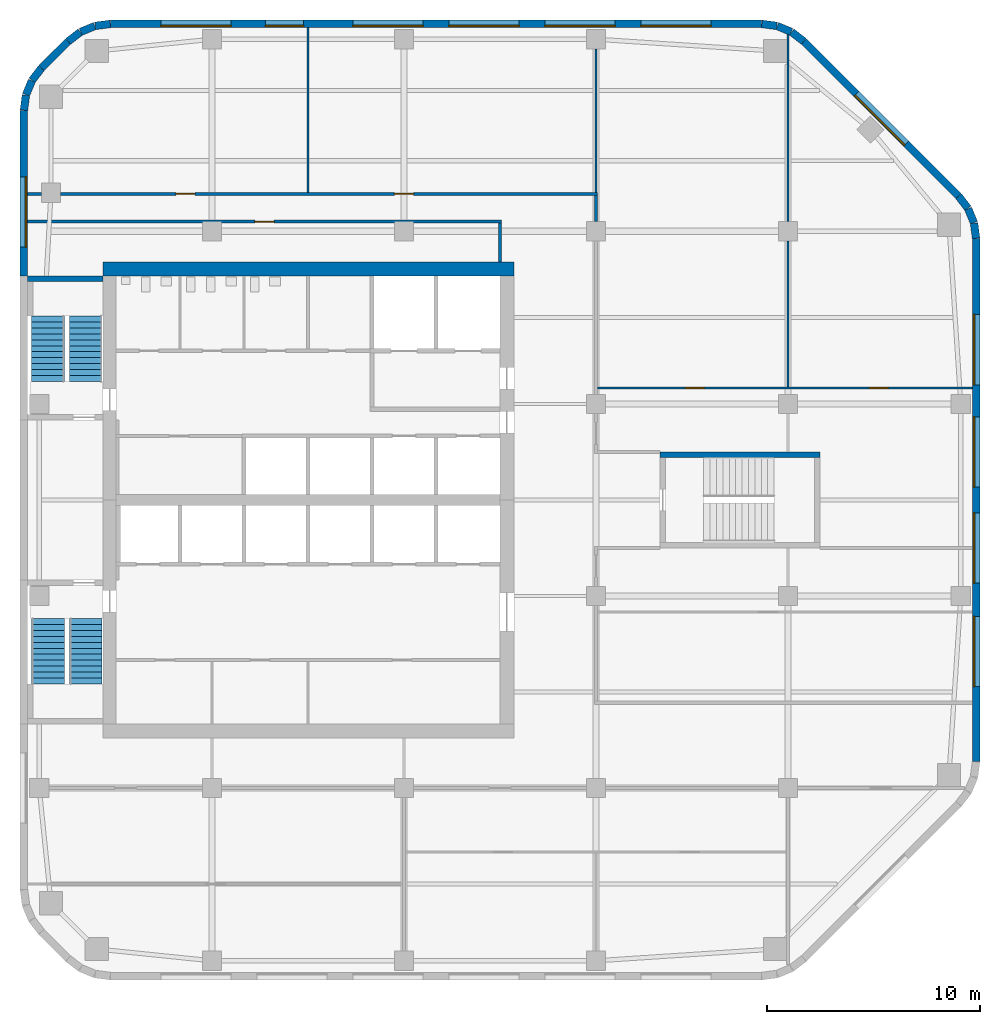
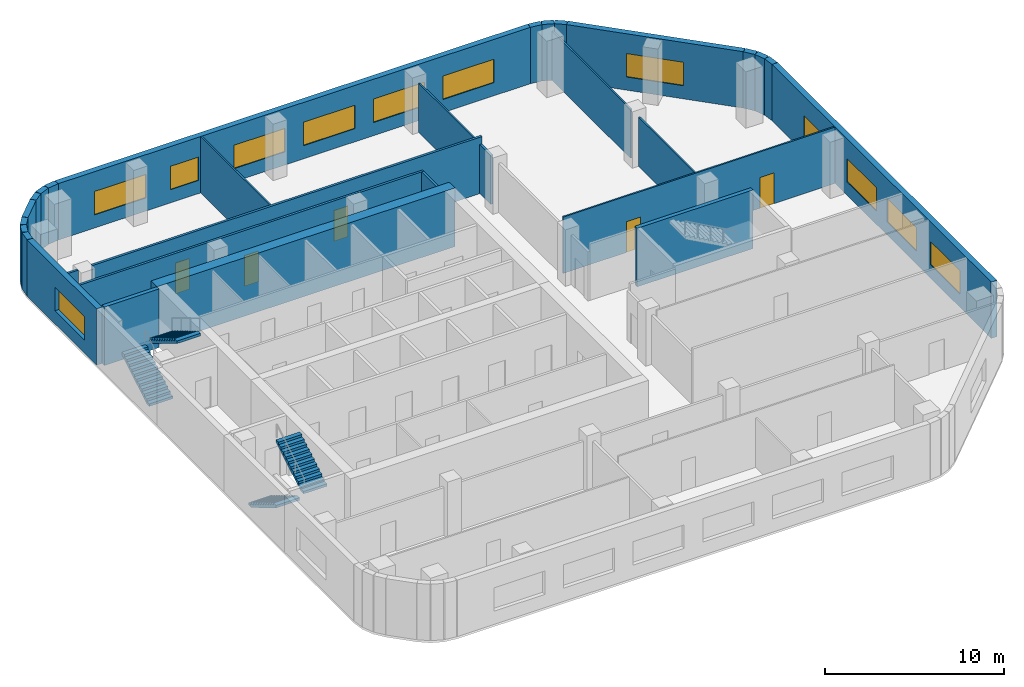
# One storey, part 5 of 8: 30 walls, 12 windows, 5 doors, 4 stair flights, 17 openings, 2 elements without a shape of their own.
"""IFC4 building model written with IfcOpenShell, lengths in metres."""

from ifc_helpers import new_model, si_unit, direction, frame, frame_2d, origin, place, context, subcontext, project, spatial, polyline, rectangle, outline, extrude, material, layer, layer_set, type_object, element, fill, aggregate, save


model = new_model("IFC4")

# Units and contexts
model_context = context("Model", 3, precision=1e-05, world=origin(), true_north=direction((0.0, 1.0)))
body_context = subcontext(model_context, "Body", "Model", "MODEL_VIEW")
ifc_project = project(units=[si_unit("LENGTHUNIT", "METRE"), si_unit("AREAUNIT", "SQUARE_METRE"), si_unit("VOLUMEUNIT", "CUBIC_METRE"), si_unit("PLANEANGLEUNIT", "RADIAN"), si_unit("MASSUNIT", "GRAM", prefix="KILO")], contexts=[model_context])

# Site, building, storey
site_placement = place(None, origin())
site = spatial("IfcSite", under=ifc_project, at=site_placement, CompositionType="ELEMENT")
building_placement = place(site_placement, origin())
building = spatial("IfcBuilding", under=site, at=building_placement, Name="Cinnabar Reach Civic Tower", CompositionType="ELEMENT")
storey_placement = place(building_placement, frame((0.0, 0.0, 185.0)))
storey = spatial("IfcBuildingStorey", under=building, at=storey_placement, Name="L44", CompositionType="ELEMENT", Elevation=185.0)

# Walls
ifc_material_1 = material(Name="Facing brick with insulated backing", Category="masonry")
ifc_layer_1 = layer(ifc_material_1, 0.36)
ifc_layer_set_1 = layer_set([ifc_layer_1], Name="Brick corner wall")
wall_type_1 = type_object("IfcWallType", Name="Brick corner wall", PredefinedType="STANDARD", material=ifc_layer_set_1)
for number, where, z_axis, x_axis, name in (
    (1, (44.817, 43.7686, 0.0), (0.0, 0.0, 1.0), (-0.13055608231, 0.99144092581, 0.0), "Brick corner wall"),
    (2, (44.7181, 44.4973, 0.0), (0.0, 0.0, 1.0), (-0.382702709855, 0.923871547278, 0.0), "Brick corner wall"),
):
    element("IfcWall", number, at=place(storey_placement, frame(where, z_axis=z_axis, x_axis=x_axis)), inside=storey, type_object=wall_type_1, Name=name, PredefinedType="STANDARD", context=body_context, shape_type="SweptSolid", body=[
        extrude(rectangle(XDim=0.7131, YDim=0.36, at=frame_2d((0.3565, 0.0))), origin(), (0.0, 0.0, 1.0), 3.85),
    ])
for number, where, z_axis, x_axis, name in (
    (3, (44.434, 45.1755, 0.0), (0.0, 0.0, 1.0), (-0.608802368033, 0.793321924995, 0.0), "Brick corner wall"),
    (4, (36.7413, 52.9998, 0.0), (0.0, 0.0, 1.0), (-0.793321924995, 0.608802368033, 0.0), "Brick corner wall"),
):
    element("IfcWall", number, at=place(storey_placement, frame(where, z_axis=z_axis, x_axis=x_axis)), inside=storey, type_object=wall_type_1, Name=name, PredefinedType="STANDARD", context=body_context, shape_type="SweptSolid", body=[
        extrude(rectangle(XDim=0.7132, YDim=0.36, at=frame_2d((0.3566, 0.0))), origin(), (0.0, 0.0, 1.0), 3.85),
    ])
for number, where, z_axis, x_axis, name in (
    (5, (36.1561, 53.4452, 0.0), (0.0, 0.0, 1.0), (-0.923871547278, 0.382702709855, 0.0), "Brick corner wall"),
    (6, (35.4756, 53.7239, 0.0), (0.0, 0.0, 1.0), (-0.99144092581, 0.13055608231, 0.0), "Brick corner wall"),
    (7, (4.2314, 53.817, 0.0), (0.0, 0.0, 1.0), (-0.99144092581, -0.13055608231, 0.0), "Brick corner wall"),
    (8, (3.5027, 53.7181, 0.0), (0.0, 0.0, 1.0), (-0.923871547278, -0.382702709855, 0.0), "Brick corner wall"),
):
    element("IfcWall", number, at=place(storey_placement, frame(where, z_axis=z_axis, x_axis=x_axis)), inside=storey, type_object=wall_type_1, Name=name, PredefinedType="STANDARD", context=body_context, shape_type="SweptSolid", body=[
        extrude(rectangle(XDim=0.7131, YDim=0.36, at=frame_2d((0.3565, 0.0))), origin(), (0.0, 0.0, 1.0), 3.85),
    ])
for number, where, z_axis, x_axis, name in (
    (9, (2.8245, 53.434, 0.0), (0.0, 0.0, 1.0), (-0.793321924995, -0.608802368033, 0.0), "Brick corner wall"),
    (10, (1.0002, 51.7413, 0.0), (0.0, 0.0, 1.0), (-0.608802368033, -0.793321924995, 0.0), "Brick corner wall"),
):
    element("IfcWall", number, at=place(storey_placement, frame(where, z_axis=z_axis, x_axis=x_axis)), inside=storey, type_object=wall_type_1, Name=name, PredefinedType="STANDARD", context=body_context, shape_type="SweptSolid", body=[
        extrude(rectangle(XDim=0.7132, YDim=0.36, at=frame_2d((0.3566, 0.0))), origin(), (0.0, 0.0, 1.0), 3.85),
    ])
for number, where, z_axis, x_axis, name in (
    (11, (0.5548, 51.1561, 0.0), (0.0, 0.0, 1.0), (-0.382702709855, -0.923871547278, 0.0), "Brick corner wall"),
    (12, (0.2761, 50.4756, 0.0), (0.0, 0.0, 1.0), (-0.13055608231, -0.99144092581, 0.0), "Brick corner wall"),
):
    element("IfcWall", number, at=place(storey_placement, frame(where, z_axis=z_axis, x_axis=x_axis)), inside=storey, type_object=wall_type_1, Name=name, PredefinedType="STANDARD", context=body_context, shape_type="SweptSolid", body=[
        extrude(rectangle(XDim=0.7131, YDim=0.36, at=frame_2d((0.3565, 0.0))), origin(), (0.0, 0.0, 1.0), 3.85),
    ])

# Wall, openings, windows
ifc_layer_2 = layer(ifc_material_1, 0.36)
ifc_layer_set_2 = layer_set([ifc_layer_2], Name="Brick pier and spandrel wall")
wall_type_2 = type_object("IfcWallType", Name="Brick pier and spandrel wall", PredefinedType="STANDARD", material=ifc_layer_set_2)
wall_1_placement = place(storey_placement, frame((44.82, 19.2426, 0.0), z_axis=(0.0, 0.0, 1.0), x_axis=(0.0, 1.0, 0.0)))
wall_1 = element("IfcWall", 13, at=wall_1_placement, inside=storey, type_object=wall_type_2, Name="Brick facade wall", PredefinedType="STANDARD", context=body_context, shape_type="SweptSolid", body=[
    extrude(rectangle(XDim=24.5148, YDim=0.36, at=frame_2d((12.2574, 0.0))), origin(), (0.0, 0.0, 1.0), 3.85),
])
opening_1_placement = place(wall_1_placement, frame((3.5074, 0.0, 0.9)))
opening_1 = element("IfcOpeningElement", 14, at=opening_1_placement, cuts=wall_1, Name="Opening W1908", PredefinedType="OPENING", context=body_context, shape_type="SweptSolid", body=[
    extrude(rectangle(XDim=3.3, YDim=1.6, at=frame_2d((1.65, 0.8))), frame((0.0, 0.19, 0.0), z_axis=(0.0, -1.0, 0.0), x_axis=(1.0, 0.0, 0.0)), (0.0, 0.0, 1.0), 0.38),
])
opening_2_placement = place(wall_1_placement, frame((8.3574, 0.0, 0.9)))
opening_2 = element("IfcOpeningElement", 15, at=opening_2_placement, cuts=wall_1, Name="Opening W1909", PredefinedType="OPENING", context=body_context, shape_type="SweptSolid", body=[
    extrude(rectangle(XDim=3.3, YDim=1.6, at=frame_2d((1.65, 0.8))), frame((0.0, 0.19, 0.0), z_axis=(0.0, -1.0, 0.0), x_axis=(1.0, 0.0, 0.0)), (0.0, 0.0, 1.0), 0.38),
])
opening_3_placement = place(wall_1_placement, frame((12.8574, 0.0, 0.9)))
opening_3 = element("IfcOpeningElement", 16, at=opening_3_placement, cuts=wall_1, Name="Opening W1910", PredefinedType="OPENING", context=body_context, shape_type="SweptSolid", body=[
    extrude(rectangle(XDim=3.3, YDim=1.6, at=frame_2d((1.65, 0.8))), frame((0.0, 0.19, 0.0), z_axis=(0.0, -1.0, 0.0), x_axis=(1.0, 0.0, 0.0)), (0.0, 0.0, 1.0), 0.38),
])
opening_4_placement = place(wall_1_placement, frame((17.6574, 0.0, 0.9)))
opening_4 = element("IfcOpeningElement", 17, at=opening_4_placement, cuts=wall_1, Name="Opening W1911", PredefinedType="OPENING", context=body_context, shape_type="SweptSolid", body=[
    extrude(rectangle(XDim=3.3, YDim=1.6, at=frame_2d((1.65, 0.8))), frame((0.0, 0.19, 0.0), z_axis=(0.0, -1.0, 0.0), x_axis=(1.0, 0.0, 0.0)), (0.0, 0.0, 1.0), 0.38),
])
ifc_material_2 = material(Name="Clear double glazing in aluminium frame", Category="aluminium")
window_type_1 = type_object("IfcWindowType", Name="Deep-set window A", PartitioningType="SINGLE_PANEL", PredefinedType="WINDOW", material=ifc_material_2)
window_1_placement = place(opening_1_placement, origin())
window_1 = element("IfcWindow", 18, at=window_1_placement, inside=storey, type_object=window_type_1, Name="Window east face", OverallHeight=1.6, OverallWidth=3.3, PartitioningType="SINGLE_PANEL", PredefinedType="WINDOW", context=body_context, shape_type="SweptSolid", body=[
    extrude(rectangle(XDim=3.3, YDim=1.6, at=frame_2d((1.65, 0.8))), frame((0.0, 0.13, 0.0), z_axis=(0.0, -1.0, 0.0), x_axis=(1.0, 0.0, 0.0)), (0.0, 0.0, 1.0), 0.06),
])
fill(opening_1, window_1)
window_2_placement = place(opening_2_placement, origin())
window_2 = element("IfcWindow", 19, at=window_2_placement, inside=storey, type_object=window_type_1, Name="Window east face", OverallHeight=1.6, OverallWidth=3.3, PartitioningType="SINGLE_PANEL", PredefinedType="WINDOW", context=body_context, shape_type="SweptSolid", body=[
    extrude(rectangle(XDim=3.3, YDim=1.6, at=frame_2d((1.65, 0.8))), frame((0.0, 0.13, 0.0), z_axis=(0.0, -1.0, 0.0), x_axis=(1.0, 0.0, 0.0)), (0.0, 0.0, 1.0), 0.06),
])
fill(opening_2, window_2)
window_3_placement = place(opening_3_placement, origin())
window_3 = element("IfcWindow", 20, at=window_3_placement, inside=storey, type_object=window_type_1, Name="Window east face", OverallHeight=1.6, OverallWidth=3.3, PartitioningType="SINGLE_PANEL", PredefinedType="WINDOW", context=body_context, shape_type="SweptSolid", body=[
    extrude(rectangle(XDim=3.3, YDim=1.6, at=frame_2d((1.65, 0.8))), frame((0.0, 0.13, 0.0), z_axis=(0.0, -1.0, 0.0), x_axis=(1.0, 0.0, 0.0)), (0.0, 0.0, 1.0), 0.06),
])
fill(opening_3, window_3)
window_4_placement = place(opening_4_placement, origin())
window_4 = element("IfcWindow", 21, at=window_4_placement, inside=storey, type_object=window_type_1, Name="Window east face", OverallHeight=1.6, OverallWidth=3.3, PartitioningType="SINGLE_PANEL", PredefinedType="WINDOW", context=body_context, shape_type="SweptSolid", body=[
    extrude(rectangle(XDim=3.3, YDim=1.6, at=frame_2d((1.65, 0.8))), frame((0.0, 0.13, 0.0), z_axis=(0.0, -1.0, 0.0), x_axis=(1.0, 0.0, 0.0)), (0.0, 0.0, 1.0), 0.06),
])
fill(opening_4, window_4)

# Wall, opening, window
wall_2_placement = place(storey_placement, frame((43.994, 45.7514, 0.0), z_axis=(0.0, 0.0, 1.0), x_axis=(-0.707106781187, 0.707106781187, 0.0)))
wall_2 = element("IfcWall", 22, at=wall_2_placement, inside=storey, type_object=wall_type_2, Name="Brick facade wall", PredefinedType="STANDARD", context=body_context, shape_type="SweptSolid", body=[
    extrude(rectangle(XDim=10.2426, YDim=0.36, at=frame_2d((5.1213, 0.0))), origin(), (0.0, 0.0, 1.0), 3.85),
])
opening_5_placement = place(wall_2_placement, frame((3.4713, 0.0, 0.9)))
opening_5 = element("IfcOpeningElement", 23, at=opening_5_placement, cuts=wall_2, Name="Opening W1912", PredefinedType="OPENING", context=body_context, shape_type="SweptSolid", body=[
    extrude(rectangle(XDim=3.3, YDim=1.6, at=frame_2d((1.65, 0.8))), frame((0.0, 0.19, 0.0), z_axis=(0.0, -1.0, 0.0), x_axis=(1.0, 0.0, 0.0)), (0.0, 0.0, 1.0), 0.38),
])
window_5_placement = place(opening_5_placement, origin())
window_5 = element("IfcWindow", 24, at=window_5_placement, inside=storey, type_object=window_type_1, Name="Window northeast face", OverallHeight=1.6, OverallWidth=3.3, PartitioningType="SINGLE_PANEL", PredefinedType="WINDOW", context=body_context, shape_type="SweptSolid", body=[
    extrude(rectangle(XDim=3.3, YDim=1.6, at=frame_2d((1.65, 0.8))), frame((0.0, 0.13, 0.0), z_axis=(0.0, -1.0, 0.0), x_axis=(1.0, 0.0, 0.0)), (0.0, 0.0, 1.0), 0.06),
])
fill(opening_5, window_5)

# Wall, openings, windows
wall_3_placement = place(storey_placement, frame((34.7574, 53.82, 0.0), z_axis=(0.0, 0.0, 1.0), x_axis=(-1.0, 0.0, 0.0)))
wall_3 = element("IfcWall", 25, at=wall_3_placement, inside=storey, type_object=wall_type_2, Name="Brick facade wall", PredefinedType="STANDARD", context=body_context, shape_type="SweptSolid", body=[
    extrude(rectangle(XDim=30.5148, YDim=0.36, at=frame_2d((15.2574, 0.0))), origin(), (0.0, 0.0, 1.0), 3.85),
])
opening_6_placement = place(wall_3_placement, frame((2.3574, 0.0, 0.9)))
opening_6 = element("IfcOpeningElement", 26, at=opening_6_placement, cuts=wall_3, Name="Opening W1913", PredefinedType="OPENING", context=body_context, shape_type="SweptSolid", body=[
    extrude(rectangle(XDim=3.3, YDim=1.6, at=frame_2d((1.65, 0.8))), frame((0.0, 0.19, 0.0), z_axis=(0.0, -1.0, 0.0), x_axis=(1.0, 0.0, 0.0)), (0.0, 0.0, 1.0), 0.38),
])
opening_7_placement = place(wall_3_placement, frame((6.8574, 0.0, 0.9)))
opening_7 = element("IfcOpeningElement", 27, at=opening_7_placement, cuts=wall_3, Name="Opening W1914", PredefinedType="OPENING", context=body_context, shape_type="SweptSolid", body=[
    extrude(rectangle(XDim=3.3, YDim=1.6, at=frame_2d((1.65, 0.8))), frame((0.0, 0.19, 0.0), z_axis=(0.0, -1.0, 0.0), x_axis=(1.0, 0.0, 0.0)), (0.0, 0.0, 1.0), 0.38),
])
opening_8_placement = place(wall_3_placement, frame((11.3574, 0.0, 0.9)))
opening_8 = element("IfcOpeningElement", 28, at=opening_8_placement, cuts=wall_3, Name="Opening W1915", PredefinedType="OPENING", context=body_context, shape_type="SweptSolid", body=[
    extrude(rectangle(XDim=3.3, YDim=1.6, at=frame_2d((1.65, 0.8))), frame((0.0, 0.19, 0.0), z_axis=(0.0, -1.0, 0.0), x_axis=(1.0, 0.0, 0.0)), (0.0, 0.0, 1.0), 0.38),
])
opening_9_placement = place(wall_3_placement, frame((15.8574, 0.0, 0.9)))
opening_9 = element("IfcOpeningElement", 29, at=opening_9_placement, cuts=wall_3, Name="Opening W1916", PredefinedType="OPENING", context=body_context, shape_type="SweptSolid", body=[
    extrude(rectangle(XDim=3.3, YDim=1.6, at=frame_2d((1.65, 0.8))), frame((0.0, 0.19, 0.0), z_axis=(0.0, -1.0, 0.0), x_axis=(1.0, 0.0, 0.0)), (0.0, 0.0, 1.0), 0.38),
])
opening_10_placement = place(wall_3_placement, frame((21.4574, 0.0, 0.9)))
opening_10 = element("IfcOpeningElement", 30, at=opening_10_placement, cuts=wall_3, Name="Opening W1917", PredefinedType="OPENING", context=body_context, shape_type="SweptSolid", body=[
    extrude(rectangle(XDim=1.8, YDim=1.6, at=frame_2d((0.9, 0.8))), frame((0.0, 0.19, 0.0), z_axis=(0.0, -1.0, 0.0), x_axis=(1.0, 0.0, 0.0)), (0.0, 0.0, 1.0), 0.38),
])
opening_11_placement = place(wall_3_placement, frame((24.8574, 0.0, 0.9)))
opening_11 = element("IfcOpeningElement", 31, at=opening_11_placement, cuts=wall_3, Name="Opening W1918", PredefinedType="OPENING", context=body_context, shape_type="SweptSolid", body=[
    extrude(rectangle(XDim=3.3, YDim=1.6, at=frame_2d((1.65, 0.8))), frame((0.0, 0.19, 0.0), z_axis=(0.0, -1.0, 0.0), x_axis=(1.0, 0.0, 0.0)), (0.0, 0.0, 1.0), 0.38),
])
window_6_placement = place(opening_6_placement, origin())
window_6 = element("IfcWindow", 32, at=window_6_placement, inside=storey, type_object=window_type_1, Name="Window north face", OverallHeight=1.6, OverallWidth=3.3, PartitioningType="SINGLE_PANEL", PredefinedType="WINDOW", context=body_context, shape_type="SweptSolid", body=[
    extrude(rectangle(XDim=3.3, YDim=1.6, at=frame_2d((1.65, 0.8))), frame((0.0, 0.13, 0.0), z_axis=(0.0, -1.0, 0.0), x_axis=(1.0, 0.0, 0.0)), (0.0, 0.0, 1.0), 0.06),
])
fill(opening_6, window_6)
window_7_placement = place(opening_7_placement, origin())
window_7 = element("IfcWindow", 33, at=window_7_placement, inside=storey, type_object=window_type_1, Name="Window north face", OverallHeight=1.6, OverallWidth=3.3, PartitioningType="SINGLE_PANEL", PredefinedType="WINDOW", context=body_context, shape_type="SweptSolid", body=[
    extrude(rectangle(XDim=3.3, YDim=1.6, at=frame_2d((1.65, 0.8))), frame((0.0, 0.13, 0.0), z_axis=(0.0, -1.0, 0.0), x_axis=(1.0, 0.0, 0.0)), (0.0, 0.0, 1.0), 0.06),
])
fill(opening_7, window_7)
window_8_placement = place(opening_8_placement, origin())
window_8 = element("IfcWindow", 34, at=window_8_placement, inside=storey, type_object=window_type_1, Name="Window north face", OverallHeight=1.6, OverallWidth=3.3, PartitioningType="SINGLE_PANEL", PredefinedType="WINDOW", context=body_context, shape_type="SweptSolid", body=[
    extrude(rectangle(XDim=3.3, YDim=1.6, at=frame_2d((1.65, 0.8))), frame((0.0, 0.13, 0.0), z_axis=(0.0, -1.0, 0.0), x_axis=(1.0, 0.0, 0.0)), (0.0, 0.0, 1.0), 0.06),
])
fill(opening_8, window_8)
window_9_placement = place(opening_9_placement, origin())
window_9 = element("IfcWindow", 35, at=window_9_placement, inside=storey, type_object=window_type_1, Name="Window north face", OverallHeight=1.6, OverallWidth=3.3, PartitioningType="SINGLE_PANEL", PredefinedType="WINDOW", context=body_context, shape_type="SweptSolid", body=[
    extrude(rectangle(XDim=3.3, YDim=1.6, at=frame_2d((1.65, 0.8))), frame((0.0, 0.13, 0.0), z_axis=(0.0, -1.0, 0.0), x_axis=(1.0, 0.0, 0.0)), (0.0, 0.0, 1.0), 0.06),
])
fill(opening_9, window_9)
window_10_placement = place(opening_11_placement, origin())
window_10 = element("IfcWindow", 36, at=window_10_placement, inside=storey, type_object=window_type_1, Name="Window north face", OverallHeight=1.6, OverallWidth=3.3, PartitioningType="SINGLE_PANEL", PredefinedType="WINDOW", context=body_context, shape_type="SweptSolid", body=[
    extrude(rectangle(XDim=3.3, YDim=1.6, at=frame_2d((1.65, 0.8))), frame((0.0, 0.13, 0.0), z_axis=(0.0, -1.0, 0.0), x_axis=(1.0, 0.0, 0.0)), (0.0, 0.0, 1.0), 0.06),
])
fill(opening_11, window_10)
window_type_2 = type_object("IfcWindowType", Name="Deep-set window D", PartitioningType="SINGLE_PANEL", PredefinedType="WINDOW", material=ifc_material_2)
window_11_placement = place(opening_10_placement, origin())
window_11 = element("IfcWindow", 37, at=window_11_placement, inside=storey, type_object=window_type_2, Name="Window north face", OverallHeight=1.6, OverallWidth=1.8, PartitioningType="SINGLE_PANEL", PredefinedType="WINDOW", context=body_context, shape_type="SweptSolid", body=[
    extrude(rectangle(XDim=1.8, YDim=1.6, at=frame_2d((0.9, 0.8))), frame((0.0, 0.13, 0.0), z_axis=(0.0, -1.0, 0.0), x_axis=(1.0, 0.0, 0.0)), (0.0, 0.0, 1.0), 0.06),
])
fill(opening_10, window_11)

# Wall
wall_4_placement = place(storey_placement, frame((2.2486, 52.994, 0.0), z_axis=(0.0, 0.0, 1.0), x_axis=(-0.707106781187, -0.707106781187, 0.0)))
element("IfcWall", 38, at=wall_4_placement, inside=storey, type_object=wall_type_2, Name="Brick facade wall", PredefinedType="STANDARD", context=body_context, shape_type="SweptSolid", body=[
    extrude(rectangle(XDim=1.7573, YDim=0.36, at=frame_2d((0.8787, 0.0))), origin(), (0.0, 0.0, 1.0), 3.85),
])

# Wall, opening, window
wall_5_placement = place(storey_placement, frame((0.18, 49.7574, 0.0), z_axis=(0.0, 0.0, 1.0), x_axis=(0.0, -1.0, 0.0)))
wall_5 = element("IfcWall", 39, at=wall_5_placement, inside=storey, type_object=wall_type_2, Name="Brick facade wall", PredefinedType="STANDARD", context=body_context, shape_type="SweptSolid", body=[
    extrude(rectangle(XDim=7.7574, YDim=0.36, at=frame_2d((3.8787, 0.0))), origin(), (0.0, 0.0, 1.0), 3.85),
])
opening_12_placement = place(wall_5_placement, frame((3.1074, 0.0, 0.9)))
opening_12 = element("IfcOpeningElement", 40, at=opening_12_placement, cuts=wall_5, Name="Opening W1919", PredefinedType="OPENING", context=body_context, shape_type="SweptSolid", body=[
    extrude(rectangle(XDim=3.3, YDim=1.6, at=frame_2d((1.65, 0.8))), frame((0.0, 0.19, 0.0), z_axis=(0.0, -1.0, 0.0), x_axis=(1.0, 0.0, 0.0)), (0.0, 0.0, 1.0), 0.38),
])
window_12_placement = place(opening_12_placement, origin())
window_12 = element("IfcWindow", 41, at=window_12_placement, inside=storey, type_object=window_type_1, Name="Window west face", OverallHeight=1.6, OverallWidth=3.3, PartitioningType="SINGLE_PANEL", PredefinedType="WINDOW", context=body_context, shape_type="SweptSolid", body=[
    extrude(rectangle(XDim=3.3, YDim=1.6, at=frame_2d((1.65, 0.8))), frame((0.0, 0.13, 0.0), z_axis=(0.0, -1.0, 0.0), x_axis=(1.0, 0.0, 0.0)), (0.0, 0.0, 1.0), 0.06),
])
fill(opening_12, window_12)

# Wall
ifc_material_3 = material(Name="Concrete C70", Category="concrete")
ifc_layer_3 = layer(ifc_material_3, 0.65)
ifc_layer_set_3 = layer_set([ifc_layer_3], Name="Core wall 650 EI 180")
wall_type_3 = type_object("IfcWallType", Name="Core wall 650 EI 180", PredefinedType="SOLIDWALL", material=ifc_layer_set_3)
wall_6_placement = place(storey_placement, frame((23.15, 42.325, 0.0), z_axis=(0.0, 0.0, 1.0), x_axis=(-1.0, 0.0, 0.0)))
element("IfcWall", 42, at=wall_6_placement, inside=storey, type_object=wall_type_3, Name="Core wall T1 L44 N", PredefinedType="SOLIDWALL", context=body_context, shape_type="SweptSolid", body=[
    extrude(rectangle(XDim=19.25, YDim=0.65, at=frame_2d((9.625, 0.0))), origin(), (0.0, 0.0, 1.0), 4.0),
])

# Wall, openings, doors
ifc_material_4 = material(Name="Gypsum board on steel studs, double layer", Category="steel")
ifc_layer_4 = layer(ifc_material_4, 0.15)
ifc_layer_set_4 = layer_set([ifc_layer_4], Name="Corridor wall 150 T1")
wall_type_4 = type_object("IfcWallType", Name="Corridor wall 150 T1", PredefinedType="PARTITIONING", material=ifc_layer_set_4)
wall_7_placement = place(storey_placement, frame((1.9031, 45.85, 0.0), z_axis=(0.0, 0.0, 1.0), x_axis=(1.0, 0.0, 0.0)))
wall_7 = element("IfcWall", 43, at=wall_7_placement, inside=storey, type_object=wall_type_4, Name="Corridor wall 23", PredefinedType="PARTITIONING", context=body_context, shape_type="SweptSolid", body=[
    extrude(rectangle(XDim=25.1719, YDim=0.15, at=frame_2d((12.586, 0.0))), origin(), (0.0, 0.0, 1.0), 3.85),
])
opening_13_placement = place(wall_7_placement, frame((5.4, 0.0, 0.0)))
opening_13 = element("IfcOpeningElement", 44, at=opening_13_placement, cuts=wall_7, Name="Opening D4831", PredefinedType="OPENING", context=body_context, shape_type="SweptSolid", body=[
    extrude(rectangle(XDim=0.9, YDim=2.1, at=frame_2d((0.45, 1.05))), frame((0.0, 0.085, 0.0), z_axis=(0.0, -1.0, 0.0), x_axis=(1.0, 0.0, 0.0)), (0.0, 0.0, 1.0), 0.17),
])
opening_14_placement = place(wall_7_placement, frame((15.6469, 0.0, 0.0)))
opening_14 = element("IfcOpeningElement", 45, at=opening_14_placement, cuts=wall_7, Name="Opening D4832", PredefinedType="OPENING", context=body_context, shape_type="SweptSolid", body=[
    extrude(rectangle(XDim=0.9, YDim=2.1, at=frame_2d((0.45, 1.05))), frame((0.0, 0.085, 0.0), z_axis=(0.0, -1.0, 0.0), x_axis=(1.0, 0.0, 0.0)), (0.0, 0.0, 1.0), 0.17),
])
ifc_material_5 = material(Name="Timber door leaf in steel frame", Category="steel")
door_type_1 = type_object("IfcDoorType", Name="Single swing door 900 x 2100 corridor T1", OperationType="SINGLE_SWING_LEFT", PredefinedType="DOOR", material=ifc_material_5)
door_1_placement = place(opening_13_placement, origin())
door_1 = element("IfcDoor", 46, at=door_1_placement, inside=storey, type_object=door_type_1, Name="Door D4831", OperationType="SINGLE_SWING_RIGHT", OverallHeight=2.1, OverallWidth=0.9, PredefinedType="DOOR", context=body_context, shape_type="SweptSolid", body=[
    extrude(rectangle(XDim=0.9, YDim=2.1, at=frame_2d((0.45, 1.05))), frame((0.0, 0.025, 0.0), z_axis=(0.0, -1.0, 0.0), x_axis=(1.0, 0.0, 0.0)), (0.0, 0.0, 1.0), 0.05),
])
fill(opening_13, door_1)
door_2_placement = place(opening_14_placement, origin())
door_2 = element("IfcDoor", 47, at=door_2_placement, inside=storey, type_object=door_type_1, Name="Door D4832", OperationType="SINGLE_SWING_LEFT", OverallHeight=2.1, OverallWidth=0.9, PredefinedType="DOOR", context=body_context, shape_type="SweptSolid", body=[
    extrude(rectangle(XDim=0.9, YDim=2.1, at=frame_2d((0.45, 1.05))), frame((0.0, 0.025, 0.0), z_axis=(0.0, -1.0, 0.0), x_axis=(1.0, 0.0, 0.0)), (0.0, 0.0, 1.0), 0.05),
])
fill(opening_14, door_2)

# Wall
wall_8_placement = place(storey_placement, frame((0.36, 45.85, 0.0), z_axis=(0.0, 0.0, 1.0), x_axis=(1.0, 0.0, 0.0)))
element("IfcWall", 48, at=wall_8_placement, inside=storey, type_object=wall_type_4, Name="Corridor wall 24", PredefinedType="PARTITIONING", context=body_context, shape_type="SweptSolid", body=[
    extrude(rectangle(XDim=0.6431, YDim=0.15, at=frame_2d((0.3216, 0.0))), origin(), (0.0, 0.0, 1.0), 3.85),
])

# Wall, opening, door
wall_9_placement = place(storey_placement, frame((0.36, 44.55, 0.0), z_axis=(0.0, 0.0, 1.0), x_axis=(1.0, 0.0, 0.0)))
wall_9 = element("IfcWall", 49, at=wall_9_placement, inside=storey, type_object=wall_type_4, Name="Corridor wall 25", PredefinedType="PARTITIONING", context=body_context, shape_type="SweptSolid", body=[
    extrude(rectangle(XDim=22.215, YDim=0.15, at=frame_2d((11.1075, 0.0))), origin(), (0.0, 0.0, 1.0), 3.85),
])
opening_15_placement = place(wall_9_placement, frame((10.65, 0.0, 0.0)))
opening_15 = element("IfcOpeningElement", 50, at=opening_15_placement, cuts=wall_9, Name="Opening D5799", PredefinedType="OPENING", context=body_context, shape_type="SweptSolid", body=[
    extrude(rectangle(XDim=0.9, YDim=2.1, at=frame_2d((0.45, 1.05))), frame((0.0, 0.085, 0.0), z_axis=(0.0, -1.0, 0.0), x_axis=(1.0, 0.0, 0.0)), (0.0, 0.0, 1.0), 0.17),
])
door_3_placement = place(opening_15_placement, frame((0.9, 0.0, 0.0), z_axis=(0.0, 0.0, 1.0), x_axis=(-1.0, 0.0, 0.0)))
door_3 = element("IfcDoor", 51, at=door_3_placement, inside=storey, type_object=door_type_1, Name="Door D5799", OperationType="SINGLE_SWING_LEFT", OverallHeight=2.1, OverallWidth=0.9, PredefinedType="DOOR", context=body_context, shape_type="SweptSolid", body=[
    extrude(rectangle(XDim=0.9, YDim=2.1, at=frame_2d((0.45, 1.05))), frame((0.0, 0.025, 0.0), z_axis=(0.0, -1.0, 0.0), x_axis=(1.0, 0.0, 0.0)), (0.0, 0.0, 1.0), 0.05),
])
fill(opening_15, door_3)

# Walls
wall_10_placement = place(storey_placement, frame((27.0, 44.55, 0.0), z_axis=(0.0, 0.0, 1.0), x_axis=(0.0, 1.0, 0.0)))
element("IfcWall", 52, at=wall_10_placement, inside=storey, type_object=wall_type_4, Name="Corridor wall 30", PredefinedType="PARTITIONING", context=body_context, shape_type="SweptSolid", body=[
    extrude(rectangle(XDim=1.225, YDim=0.15, at=frame_2d((0.6125, 0.0))), origin(), (0.0, 0.0, 1.0), 3.362),
])
wall_11_placement = place(storey_placement, frame((22.5, 42.65, 0.0), z_axis=(0.0, 0.0, 1.0), x_axis=(0.0, 1.0, 0.0)))
element("IfcWall", 53, at=wall_11_placement, inside=storey, type_object=wall_type_4, Name="Corridor wall 39", PredefinedType="PARTITIONING", context=body_context, shape_type="SweptSolid", body=[
    extrude(rectangle(XDim=1.825, YDim=0.15, at=frame_2d((0.9125, 0.0))), origin(), (0.0, 0.0, 1.0), 3.85),
])

# Wall, openings, doors
ifc_material_6 = material(Name="Gypsum board on steel studs", Category="steel")
ifc_layer_5 = layer(ifc_material_6, 0.1)
ifc_layer_set_5 = layer_set([ifc_layer_5], Name="Partition wall 100 T1")
wall_type_5 = type_object("IfcWallType", Name="Partition wall 100 T1", PredefinedType="PARTITIONING", material=ifc_layer_set_5)
wall_12_placement = place(storey_placement, frame((27.075, 36.75, 0.0), z_axis=(0.0, 0.0, 1.0), x_axis=(1.0, 0.0, 0.0)))
wall_12 = element("IfcWall", 54, at=wall_12_placement, inside=storey, type_object=wall_type_5, Name="Partition wall 48", PredefinedType="PARTITIONING", context=body_context, shape_type="SweptSolid", body=[
    extrude(rectangle(XDim=17.565, YDim=0.1, at=frame_2d((8.7825, 0.0))), origin(), (0.0, 0.0, 1.0), 3.85),
])
opening_16_placement = place(wall_12_placement, frame((4.1, 0.0, 0.0)))
opening_16 = element("IfcOpeningElement", 55, at=opening_16_placement, cuts=wall_12, Name="Opening D4821", PredefinedType="OPENING", context=body_context, shape_type="SweptSolid", body=[
    extrude(rectangle(XDim=0.9, YDim=2.1, at=frame_2d((0.45, 1.05))), frame((0.0, 0.06, 0.0), z_axis=(0.0, -1.0, 0.0), x_axis=(1.0, 0.0, 0.0)), (0.0, 0.0, 1.0), 0.12),
])
opening_17_placement = place(wall_12_placement, frame((12.725, 0.0, 0.0)))
opening_17 = element("IfcOpeningElement", 56, at=opening_17_placement, cuts=wall_12, Name="Opening D4822", PredefinedType="OPENING", context=body_context, shape_type="SweptSolid", body=[
    extrude(rectangle(XDim=0.9, YDim=2.1, at=frame_2d((0.45, 1.05))), frame((0.0, 0.06, 0.0), z_axis=(0.0, -1.0, 0.0), x_axis=(1.0, 0.0, 0.0)), (0.0, 0.0, 1.0), 0.12),
])
door_type_2 = type_object("IfcDoorType", Name="Single swing door 900 x 2100 T1", OperationType="SINGLE_SWING_LEFT", PredefinedType="DOOR", material=ifc_material_5)
door_4_placement = place(opening_16_placement, frame((0.9, 0.0, 0.0), z_axis=(0.0, 0.0, 1.0), x_axis=(-1.0, 0.0, 0.0)))
door_4 = element("IfcDoor", 57, at=door_4_placement, inside=storey, type_object=door_type_2, Name="Door D4821", OperationType="SINGLE_SWING_RIGHT", OverallHeight=2.1, OverallWidth=0.9, PredefinedType="DOOR", context=body_context, shape_type="SweptSolid", body=[
    extrude(rectangle(XDim=0.9, YDim=2.1, at=frame_2d((0.45, 1.05))), frame((0.0, 0.025, 0.0), z_axis=(0.0, -1.0, 0.0), x_axis=(1.0, 0.0, 0.0)), (0.0, 0.0, 1.0), 0.05),
])
fill(opening_16, door_4)
door_5_placement = place(opening_17_placement, frame((0.9, 0.0, 0.0), z_axis=(0.0, 0.0, 1.0), x_axis=(-1.0, 0.0, 0.0)))
door_5 = element("IfcDoor", 58, at=door_5_placement, inside=storey, type_object=door_type_2, Name="Door D4822", OperationType="SINGLE_SWING_RIGHT", OverallHeight=2.1, OverallWidth=0.9, PredefinedType="DOOR", context=body_context, shape_type="SweptSolid", body=[
    extrude(rectangle(XDim=0.9, YDim=2.1, at=frame_2d((0.45, 1.05))), frame((0.0, 0.025, 0.0), z_axis=(0.0, -1.0, 0.0), x_axis=(1.0, 0.0, 0.0)), (0.0, 0.0, 1.0), 0.05),
])
fill(opening_17, door_5)

# Walls
wall_13_placement = place(storey_placement, frame((36.0, 36.8, 0.0), z_axis=(0.0, 0.0, 1.0), x_axis=(0.0, 1.0, 0.0)))
element("IfcWall", 59, at=wall_13_placement, inside=storey, type_object=wall_type_5, Name="Partition wall 49", PredefinedType="PARTITIONING", context=body_context, shape_type="SweptSolid", body=[
    extrude(rectangle(XDim=6.85, YDim=0.1, at=frame_2d((3.425, 0.0))), origin(), (0.0, 0.0, 1.0), 3.362),
])
wall_14_placement = place(storey_placement, frame((36.0, 44.55, 0.0), z_axis=(0.0, 0.0, 1.0), x_axis=(0.0, 1.0, 0.0)))
element("IfcWall", 60, at=wall_14_placement, inside=storey, type_object=wall_type_5, Name="Partition wall 50", PredefinedType="PARTITIONING", context=body_context, shape_type="SweptSolid", body=[
    extrude(rectangle(XDim=8.765, YDim=0.1, at=frame_2d((4.3825, 0.0))), origin(), (0.0, 0.0, 1.0), 3.362),
])
wall_15_placement = place(storey_placement, frame((13.5, 45.925, 0.0), z_axis=(0.0, 0.0, 1.0), x_axis=(0.0, 1.0, 0.0)))
element("IfcWall", 61, at=wall_15_placement, inside=storey, type_object=wall_type_5, Name="Partition wall 51", PredefinedType="PARTITIONING", context=body_context, shape_type="SweptSolid", body=[
    extrude(rectangle(XDim=7.715, YDim=0.1, at=frame_2d((3.8575, 0.0))), origin(), (0.0, 0.0, 1.0), 3.85),
])
wall_16_placement = place(storey_placement, frame((27.0, 45.925, 0.0), z_axis=(0.0, 0.0, 1.0), x_axis=(0.0, 1.0, 0.0)))
element("IfcWall", 62, at=wall_16_placement, inside=storey, type_object=wall_type_5, Name="Partition wall 52", PredefinedType="PARTITIONING", context=body_context, shape_type="SweptSolid", body=[
    extrude(rectangle(XDim=6.725, YDim=0.1, at=frame_2d((3.3625, 0.0))), origin(), (0.0, 0.0, 1.0), 3.362),
])
ifc_material_7 = material(Name="Concrete C60", Category="concrete")
ifc_layer_6 = layer(ifc_material_7, 0.25)
ifc_layer_set_6 = layer_set([ifc_layer_6], Name="Stair shaft wall 250 EI 120")
wall_type_6 = type_object("IfcWallType", Name="Stair shaft wall 250 EI 120", PredefinedType="SOLIDWALL", material=ifc_layer_set_6)
wall_17_placement = place(storey_placement, frame((3.9, 41.875, 0.0), z_axis=(0.0, 0.0, 1.0), x_axis=(-1.0, 0.0, 0.0)))
element("IfcWall", 63, at=wall_17_placement, inside=storey, type_object=wall_type_6, Name="Stair shaft wall T1-S2 L44", PredefinedType="SOLIDWALL", context=body_context, shape_type="SweptSolid", body=[
    extrude(rectangle(XDim=3.54, YDim=0.25, at=frame_2d((1.77, 0.0))), origin(), (0.0, 0.0, 1.0), 4.0),
])
wall_18_placement = place(storey_placement, frame((37.5, 33.625, 0.0), z_axis=(0.0, 0.0, 1.0), x_axis=(-1.0, 0.0, 0.0)))
element("IfcWall", 64, at=wall_18_placement, inside=storey, type_object=wall_type_6, Name="Stair shaft wall T1-S3 L44", PredefinedType="SOLIDWALL", context=body_context, shape_type="SweptSolid", body=[
    extrude(rectangle(XDim=7.5, YDim=0.25, at=frame_2d((3.75, 0.0))), origin(), (0.0, 0.0, 1.0), 4.0),
])

# Stair, stair flights
ifc_material_8 = material(Name="Concrete C40/50", Category="concrete")
stair_type = type_object("IfcStairType", Name="T1 Exit stair, half-turn", PredefinedType="HALF_TURN_STAIR", material=ifc_material_8)
stair_1_placement = place(storey_placement, origin())
stair_1 = element("IfcStair", 65, at=stair_1_placement, inside=storey, type_object=stair_type, Name="Stair T1-S1", PredefinedType="HALF_TURN_STAIR")
stair_flight_type = type_object("IfcStairFlightType", Name="T1 Stair flight, concrete", PredefinedType="STRAIGHT", material=ifc_material_8)
stair_flight_1_placement = place(storey_placement, frame((1.3125, 25.95, 0.0), z_axis=(0.0, 0.0, 1.0), x_axis=(0.0, -1.0, 0.0)))
stair_flight_1 = element("IfcStairFlight", 66, at=stair_flight_1_placement, type_object=stair_flight_type, Name="T1-S1 flight 1", NumberOfRisers=12, NumberOfTreads=11, PredefinedType="STRAIGHT", RiserHeight=0.166666667, TreadLength=0.28, context=body_context, shape_type="SweptSolid", body=[
    extrude(outline(polyline([(0.0, 0.0), (0.0, 0.1667), (0.28, 0.1667), (0.28, 0.3333), (0.56, 0.3333), (0.56, 0.5), (0.84, 0.5), (0.84, 0.6667), (1.12, 0.6667), (1.12, 0.8333), (1.4, 0.8333), (1.4, 1.0), (1.68, 1.0), (1.68, 1.1667), (1.96, 1.1667), (1.96, 1.3333), (2.24, 1.3333), (2.24, 1.5), (2.52, 1.5), (2.52, 1.6667), (2.8, 1.6667), (2.8, 1.8333), (3.08, 1.8333), (3.08, 2.0), (3.08, 1.6588), (0.2933, 0.0), (0.0, 0.0)])), frame((0.0, 0.7625, 0.0), z_axis=(0.0, -1.0, 0.0), x_axis=(1.0, 0.0, 0.0)), (0.0, 0.0, 1.0), 1.525),
])
stair_flight_2_placement = place(storey_placement, frame((3.0875, 22.87, 2.0), z_axis=(0.0, 0.0, 1.0), x_axis=(0.0, 1.0, 0.0)))
stair_flight_2 = element("IfcStairFlight", 67, at=stair_flight_2_placement, type_object=stair_flight_type, Name="T1-S1 flight 2", NumberOfRisers=12, NumberOfTreads=11, PredefinedType="STRAIGHT", RiserHeight=0.166666667, TreadLength=0.28, context=body_context, shape_type="SweptSolid", body=[
    extrude(outline(polyline([(0.0, 0.0), (0.0, 0.1667), (0.28, 0.1667), (0.28, 0.3333), (0.56, 0.3333), (0.56, 0.5), (0.84, 0.5), (0.84, 0.6667), (1.12, 0.6667), (1.12, 0.8333), (1.4, 0.8333), (1.4, 1.0), (1.68, 1.0), (1.68, 1.1667), (1.96, 1.1667), (1.96, 1.3333), (2.24, 1.3333), (2.24, 1.5), (2.52, 1.5), (2.52, 1.6667), (2.8, 1.6667), (2.8, 1.8333), (3.08, 1.8333), (3.08, 2.0), (3.08, 1.6588), (0.2933, 0.0), (0.0, 0.0)])), frame((0.0, 0.7625, 0.0), z_axis=(0.0, -1.0, 0.0), x_axis=(1.0, 0.0, 0.0)), (0.0, 0.0, 1.0), 1.525),
])
aggregate(stair_1, [stair_flight_1, stair_flight_2])

stair_2_placement = place(storey_placement, origin())
stair_2 = element("IfcStair", 68, at=stair_2_placement, inside=storey, type_object=stair_type, Name="Stair T1-S2", PredefinedType="HALF_TURN_STAIR")
stair_flight_3_placement = place(storey_placement, frame((1.3125, 37.05, 0.0), z_axis=(0.0, 0.0, 1.0), x_axis=(0.0, 1.0, 0.0)))
stair_flight_3 = element("IfcStairFlight", 69, at=stair_flight_3_placement, type_object=stair_flight_type, Name="T1-S2 flight 1", NumberOfRisers=12, NumberOfTreads=11, PredefinedType="STRAIGHT", RiserHeight=0.166666667, TreadLength=0.28, context=body_context, shape_type="SweptSolid", body=[
    extrude(outline(polyline([(0.0, 0.0), (0.0, 0.1667), (0.28, 0.1667), (0.28, 0.3333), (0.56, 0.3333), (0.56, 0.5), (0.84, 0.5), (0.84, 0.6667), (1.12, 0.6667), (1.12, 0.8333), (1.4, 0.8333), (1.4, 1.0), (1.68, 1.0), (1.68, 1.1667), (1.96, 1.1667), (1.96, 1.3333), (2.24, 1.3333), (2.24, 1.5), (2.52, 1.5), (2.52, 1.6667), (2.8, 1.6667), (2.8, 1.8333), (3.08, 1.8333), (3.08, 2.0), (3.08, 1.6588), (0.2933, 0.0), (0.0, 0.0)])), frame((0.0, 0.7625, 0.0), z_axis=(0.0, -1.0, 0.0), x_axis=(1.0, 0.0, 0.0)), (0.0, 0.0, 1.0), 1.525),
])
stair_flight_4_placement = place(storey_placement, frame((3.0875, 40.13, 2.0), z_axis=(0.0, 0.0, 1.0), x_axis=(0.0, -1.0, 0.0)))
stair_flight_4 = element("IfcStairFlight", 70, at=stair_flight_4_placement, type_object=stair_flight_type, Name="T1-S2 flight 2", NumberOfRisers=12, NumberOfTreads=11, PredefinedType="STRAIGHT", RiserHeight=0.166666667, TreadLength=0.28, context=body_context, shape_type="SweptSolid", body=[
    extrude(outline(polyline([(0.0, 0.0), (0.0, 0.1667), (0.28, 0.1667), (0.28, 0.3333), (0.56, 0.3333), (0.56, 0.5), (0.84, 0.5), (0.84, 0.6667), (1.12, 0.6667), (1.12, 0.8333), (1.4, 0.8333), (1.4, 1.0), (1.68, 1.0), (1.68, 1.1667), (1.96, 1.1667), (1.96, 1.3333), (2.24, 1.3333), (2.24, 1.5), (2.52, 1.5), (2.52, 1.6667), (2.8, 1.6667), (2.8, 1.8333), (3.08, 1.8333), (3.08, 2.0), (3.08, 1.6588), (0.2933, 0.0), (0.0, 0.0)])), frame((0.0, 0.7625, 0.0), z_axis=(0.0, -1.0, 0.0), x_axis=(1.0, 0.0, 0.0)), (0.0, 0.0, 1.0), 1.525),
])
aggregate(stair_2, [stair_flight_3, stair_flight_4])

save(model, "model.ifc")
